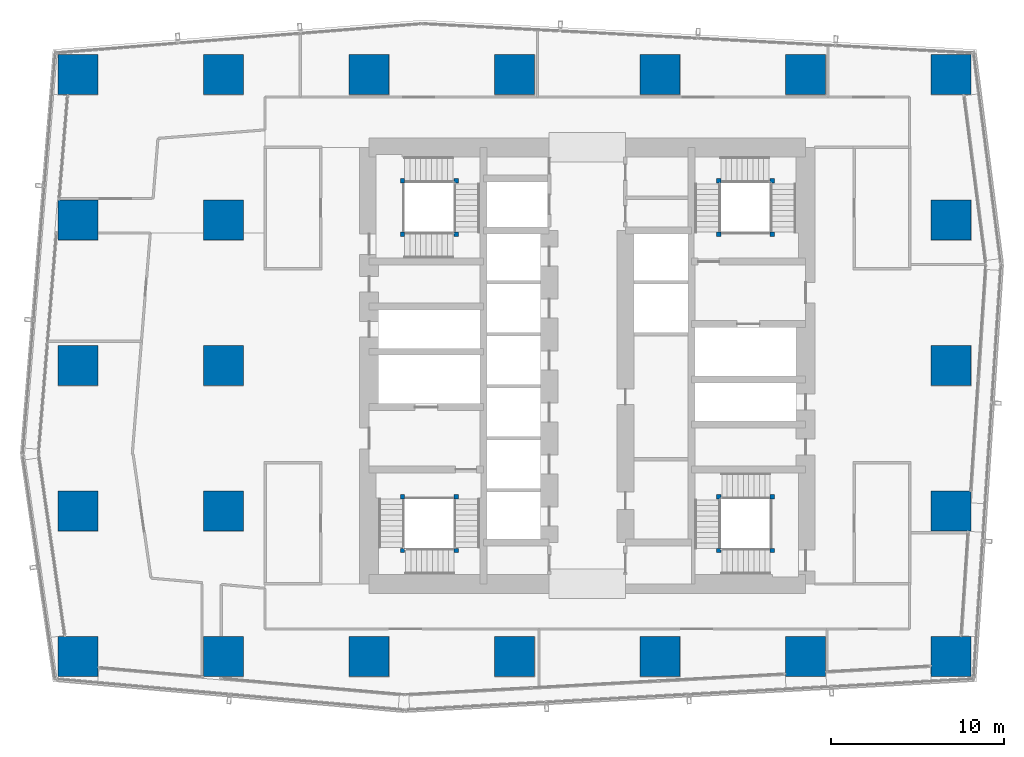
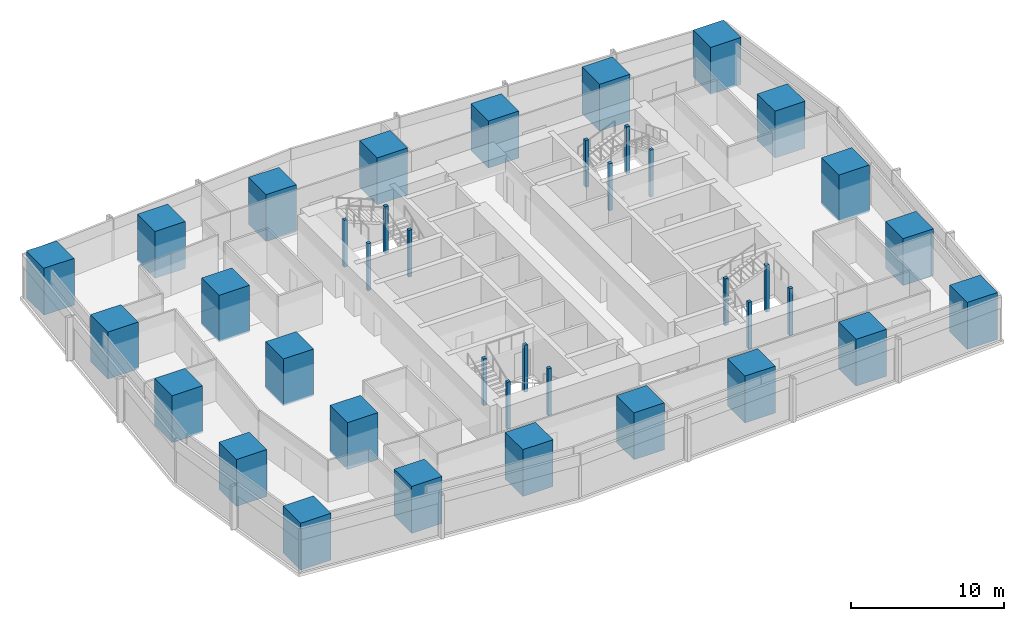
# One storey, part 1 of 32: 39 columns.
"""IFC4 building model written with IfcOpenShell, lengths in metres."""

from ifc_helpers import new_model, si_unit, direction, frame, origin, origin_2d, place, context, subcontext, project, spatial, rectangle, extrude, material, material_profile, profile_set, type_object, element, save


model = new_model("IFC4")

# Units and contexts
model_context = context("Model", 3, precision=1e-05, world=origin(), true_north=direction((0.0, 1.0)))
body_context = subcontext(model_context, "Body", "Model", "MODEL_VIEW")
ifc_project = project(units=[si_unit("LENGTHUNIT", "METRE"), si_unit("AREAUNIT", "SQUARE_METRE"), si_unit("VOLUMEUNIT", "CUBIC_METRE"), si_unit("PLANEANGLEUNIT", "RADIAN"), si_unit("MASSUNIT", "GRAM", prefix="KILO")], contexts=[model_context])

# Site, building, storey
site_placement = place(None, origin())
site = spatial("IfcSite", under=ifc_project, at=site_placement, CompositionType="ELEMENT")
building_placement = place(site_placement, origin())
building = spatial("IfcBuilding", under=site, at=building_placement, Name="Rekha Terrace Tower", CompositionType="ELEMENT")
storey_placement = place(building_placement, frame((0.0, 0.0, 250.10009765625)))
storey = spatial("IfcBuildingStorey", under=building, at=storey_placement, Name="L63", CompositionType="ELEMENT", Elevation=250.10009765625)

# Columns
ifc_material_1 = material(Name="Concrete M70", Category="concrete")
ifc_material_profile_1 = material_profile(ifc_material_1, rectangle(XDim=2.300048828125, YDim=2.300048828125, at=origin_2d()), Name="RC 2300x2300")
ifc_profile_set_1 = profile_set([ifc_material_profile_1], Name="Concrete M70")
column_type_1 = type_object("IfcColumnType", Name="C5T 2300x2300 column", PredefinedType="COLUMN", material=ifc_profile_set_1)
for number, where, z_axis, x_axis, name in (
    (1, (8.39990234375, 16.800048828125, 0.0), (0.0, 0.0, 1.0), (1.0, 0.0, 0.0), "Column C5T 2/C L63"),
    (2, (8.39990234375, 25.199951171875, 0.0), (0.0, 0.0, 1.0), (1.0, 0.0, 0.0), "Column C5T 2/D L63"),
    (3, (8.39990234375, 33.60009765625, 0.0), (0.0, 0.0, 1.0), (1.0, 0.0, 0.0), "Column C5T 2/E L63"),
    (4, (8.39990234375, 42.0, 0.0), (0.0, 0.0, 1.0), (1.0, 0.0, 0.0), "Column C5T 2/F L63"),
    (5, (8.39990234375, 50.39990234375, 0.0), (0.0, 0.0, 1.0), (1.0, 0.0, 0.0), "Column C5T 2/G L63"),
    (6, (16.800048828125, 16.800048828125, 0.0), (0.0, 0.0, 1.0), (1.0, 0.0, 0.0), "Column C5T 3/C L63"),
    (7, (16.800048828125, 25.199951171875, 0.0), (0.0, 0.0, 1.0), (1.0, 0.0, 0.0), "Column C5T 3/D L63"),
    (8, (16.800048828125, 33.60009765625, 0.0), (0.0, 0.0, 1.0), (1.0, 0.0, 0.0), "Column C5T 3/E L63"),
    (9, (16.800048828125, 42.0, 0.0), (0.0, 0.0, 1.0), (1.0, 0.0, 0.0), "Column C5T 3/F L63"),
    (10, (16.800048828125, 50.39990234375, 0.0), (0.0, 0.0, 1.0), (1.0, 0.0, 0.0), "Column C5T 3/G L63"),
    (11, (25.199951171875, 16.800048828125, 0.0), (0.0, 0.0, 1.0), (1.0, 0.0, 0.0), "Column C5T 4/C L63"),
    (12, (25.199951171875, 50.39990234375, 0.0), (0.0, 0.0, 1.0), (1.0, 0.0, 0.0), "Column C5T 4/G L63"),
    (13, (33.60009765625, 16.800048828125, 0.0), (0.0, 0.0, 1.0), (1.0, 0.0, 0.0), "Column C5T 5/C L63"),
    (14, (33.60009765625, 50.39990234375, 0.0), (0.0, 0.0, 1.0), (1.0, 0.0, 0.0), "Column C5T 5/G L63"),
    (15, (42.0, 16.800048828125, 0.0), (0.0, 0.0, 1.0), (1.0, 0.0, 0.0), "Column C5T 6/C L63"),
    (16, (42.0, 50.39990234375, 0.0), (0.0, 0.0, 1.0), (1.0, 0.0, 0.0), "Column C5T 6/G L63"),
    (17, (50.39990234375, 16.800048828125, 0.0), (0.0, 0.0, 1.0), (1.0, 0.0, 0.0), "Column C5T 7/C L63"),
    (18, (50.39990234375, 50.39990234375, 0.0), (0.0, 0.0, 1.0), (1.0, 0.0, 0.0), "Column C5T 7/G L63"),
    (19, (58.800048828125, 16.800048828125, 0.0), (0.0, 0.0, 1.0), (1.0, 0.0, 0.0), "Column C5T 8/C L63"),
    (20, (58.800048828125, 25.199951171875, 0.0), (0.0, 0.0, 1.0), (1.0, 0.0, 0.0), "Column C5T 8/D L63"),
    (21, (58.800048828125, 33.60009765625, 0.0), (0.0, 0.0, 1.0), (1.0, 0.0, 0.0), "Column C5T 8/E L63"),
    (22, (58.800048828125, 42.0, 0.0), (0.0, 0.0, 1.0), (1.0, 0.0, 0.0), "Column C5T 8/F L63"),
    (23, (58.800048828125, 50.39990234375, 0.0), (0.0, 0.0, 1.0), (1.0, 0.0, 0.0), "Column C5T 8/G L63"),
):
    element("IfcColumn", number, at=place(storey_placement, frame(where, z_axis=z_axis, x_axis=x_axis)), inside=storey, type_object=column_type_1, Name=name, PredefinedType="COLUMN", context=body_context, shape_type="SweptSolid", body=[
        extrude(rectangle(XDim=2.300048828125, YDim=2.300048828125, at=origin_2d()), origin(), (0.0, 0.0, 1.0), 3.75),
    ])
ifc_material_2 = material(Name="Concrete M60", Category="concrete")
ifc_material_profile_2 = material_profile(ifc_material_2, rectangle(XDim=0.25, YDim=0.25, at=origin_2d()), Name="RC 250x250")
ifc_profile_set_2 = profile_set([ifc_material_profile_2], Name="Concrete M60")
column_type_2 = type_object("IfcColumnType", Name="NP1 250x250 stair newel post", PredefinedType="COLUMN", material=ifc_profile_set_2)
for number, where, z_axis, x_axis, name in (
    (24, (30.22509765625, 26.02490234375, 0.0), (0.0, 0.0, 1.0), (1.0, 0.0, 0.0), "Stair newel post NP1"),
    (25, (30.22509765625, 22.925048828125, 0.0), (0.0, 0.0, 1.0), (1.0, 0.0, 0.0), "Stair newel post NP1"),
    (26, (27.125, 22.925048828125, 0.0), (0.0, 0.0, 1.0), (1.0, 0.0, 0.0), "Stair newel post NP1"),
    (27, (27.125, 26.02490234375, 0.0), (0.0, 0.0, 1.0), (1.0, 0.0, 0.0), "Stair newel post NP1"),
    (28, (45.375, 41.175048828125, 0.0), (0.0, 0.0, 1.0), (1.0, 0.0, 0.0), "Stair newel post NP1"),
    (29, (45.375, 44.27490234375, 0.0), (0.0, 0.0, 1.0), (1.0, 0.0, 0.0), "Stair newel post NP1"),
    (30, (48.47509765625, 44.27490234375, 0.0), (0.0, 0.0, 1.0), (1.0, 0.0, 0.0), "Stair newel post NP1"),
    (31, (48.47509765625, 41.175048828125, 0.0), (0.0, 0.0, 1.0), (1.0, 0.0, 0.0), "Stair newel post NP1"),
    (32, (48.47509765625, 22.925048828125, 0.0), (0.0, 0.0, 1.0), (1.0, 0.0, 0.0), "Stair newel post NP1"),
    (33, (45.375, 22.925048828125, 0.0), (0.0, 0.0, 1.0), (1.0, 0.0, 0.0), "Stair newel post NP1"),
    (34, (45.375, 26.02490234375, 0.0), (0.0, 0.0, 1.0), (1.0, 0.0, 0.0), "Stair newel post NP1"),
    (35, (48.47509765625, 26.02490234375, 0.0), (0.0, 0.0, 1.0), (1.0, 0.0, 0.0), "Stair newel post NP1"),
    (36, (27.125, 41.175048828125, 0.0), (0.0, 0.0, 1.0), (1.0, 0.0, 0.0), "Stair newel post NP1"),
    (37, (30.22509765625, 41.175048828125, 0.0), (0.0, 0.0, 1.0), (1.0, 0.0, 0.0), "Stair newel post NP1"),
    (38, (30.22509765625, 44.27490234375, 0.0), (0.0, 0.0, 1.0), (1.0, 0.0, 0.0), "Stair newel post NP1"),
    (39, (27.125, 44.27490234375, 0.0), (0.0, 0.0, 1.0), (1.0, 0.0, 0.0), "Stair newel post NP1"),
):
    element("IfcColumn", number, at=place(storey_placement, frame(where, z_axis=z_axis, x_axis=x_axis)), inside=storey, type_object=column_type_2, Name=name, PredefinedType="COLUMN", context=body_context, shape_type="SweptSolid", body=[
        extrude(rectangle(XDim=0.25, YDim=0.25, at=origin_2d()), origin(), (0.0, 0.0, 1.0), 3.75),
    ])

save(model, "model.ifc")
